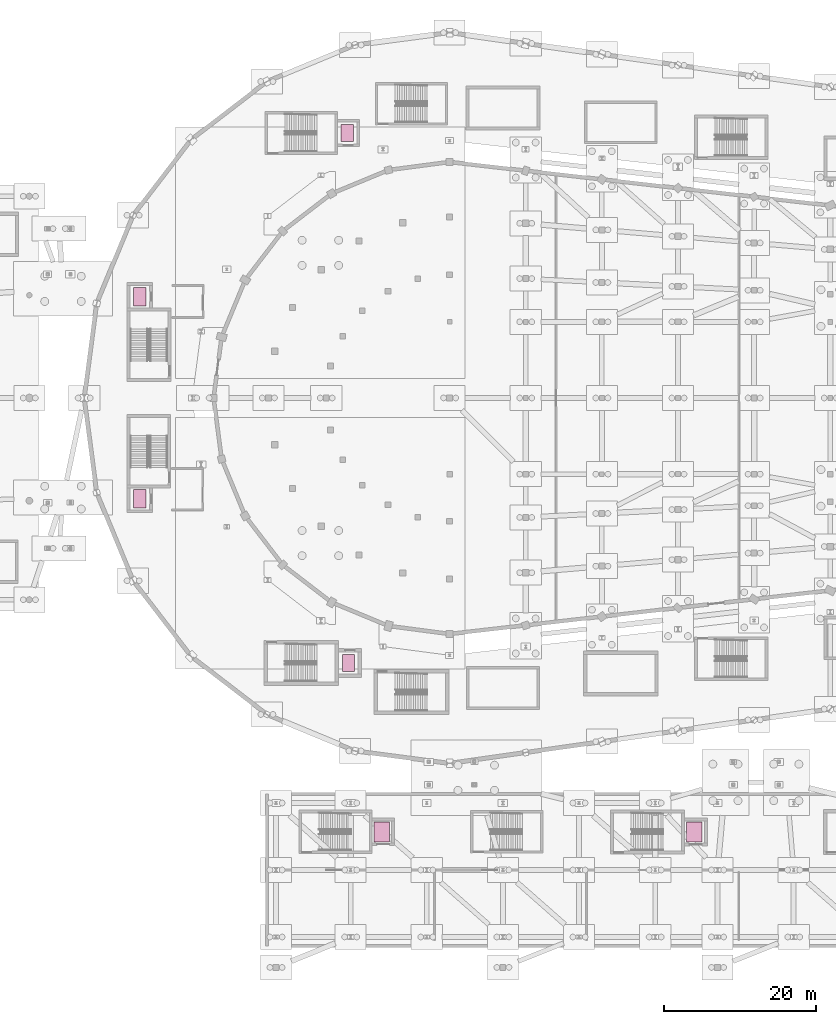
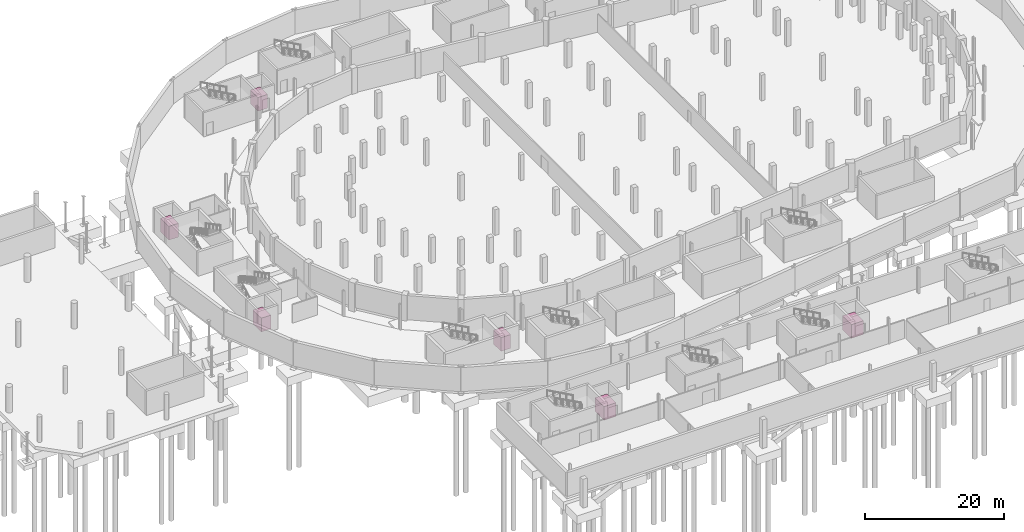
# One storey, part 55 of 55: 6 transport elements.
"""IFC4 building model written with IfcOpenShell, lengths in metres."""

from ifc_helpers import new_model, si_unit, direction, frame, origin, origin_2d, place, context, subcontext, project, spatial, rectangle, extrude, material, type_object, element, save


model = new_model("IFC4")

# Units and contexts
model_context = context("Model", 3, precision=1e-05, world=origin(), true_north=direction((0.0, 1.0)))
body_context = subcontext(model_context, "Body", "Model", "MODEL_VIEW")
ifc_project = project(units=[si_unit("LENGTHUNIT", "METRE"), si_unit("AREAUNIT", "SQUARE_METRE"), si_unit("VOLUMEUNIT", "CUBIC_METRE"), si_unit("PLANEANGLEUNIT", "RADIAN"), si_unit("MASSUNIT", "GRAM", prefix="KILO")], contexts=[model_context])

# Site, building, storey
site_placement = place(None, origin())
site = spatial("IfcSite", under=ifc_project, at=site_placement, CompositionType="ELEMENT")
building_placement = place(site_placement, origin())
building = spatial("IfcBuilding", under=site, at=building_placement, Name="Sohan Crest Arena", CompositionType="ELEMENT")
storey_placement = place(building_placement, frame((0.0, 0.0, -4.5)))
storey = spatial("IfcBuildingStorey", under=building, at=storey_placement, Name="B1", CompositionType="ELEMENT", Elevation=-4.5)

# Transport elements
ifc_material = material(Name="Brushed stainless steel lift car", Category="steel")
transport_element_type_1 = type_object("IfcTransportElementType", Name="LFT-FF", PredefinedType="ELEVATOR", material=ifc_material)
for number, where, z_axis, x_axis, name in (
    (1, (57.300048828125, 64.75, 0.0), (0.0, 0.0, 1.0), (1.0, 0.0, 0.0), "Firefighting lift FL01"),
    (2, (57.300048828125, 91.300048828125, 0.0), (0.0, 0.0, 1.0), (1.0, 0.0, 0.0), "Firefighting lift FL02"),
):
    element("IfcTransportElement", number, at=place(storey_placement, frame(where, z_axis=z_axis, x_axis=x_axis)), inside=storey, type_object=transport_element_type_1, Name=name, PredefinedType="ELEVATOR", context=body_context, shape_type="SweptSolid", body=[
        extrude(rectangle(XDim=1.60009765625, YDim=2.39990234375, at=origin_2d()), origin(), (0.0, 0.0, 1.0), 2.39990234375),
    ])
transport_element_type_2 = type_object("IfcTransportElementType", Name="LFT-GDS", PredefinedType="ELEVATOR", material=ifc_material)
for number, where, z_axis, x_axis, name in (
    (3, (89.10009765625, 21.0, 0.0), (0.0, 0.0, 1.0), (1.0, 0.0, 0.0), "Passenger lift GF01"),
    (4, (130.14990234375, 21.0, 0.0), (0.0, 0.0, 1.0), (1.0, 0.0, 0.0), "Passenger lift GF02"),
):
    element("IfcTransportElement", number, at=place(storey_placement, frame(where, z_axis=z_axis, x_axis=x_axis)), inside=storey, type_object=transport_element_type_2, Name=name, PredefinedType="ELEVATOR", context=body_context, shape_type="SweptSolid", body=[
        extrude(rectangle(XDim=2.0, YDim=2.60009765625, at=origin_2d()), origin(), (0.0, 0.0, 1.0), 2.39990234375),
    ])
transport_element_type_3 = type_object("IfcTransportElementType", Name="LFT-PAX1", PredefinedType="ELEVATOR", material=ifc_material)
for number, where, z_axis, x_axis, name in (
    (5, (84.699951171875, 43.199951171875, 0.0), (0.0, 0.0, 1.0), (1.0, 0.0, 0.0), "Passenger lift LP01"),
    (6, (84.550048828125, 112.800048828125, 0.0), (0.0, 0.0, 1.0), (1.0, 0.0, 0.0), "Passenger lift LP02"),
):
    element("IfcTransportElement", number, at=place(storey_placement, frame(where, z_axis=z_axis, x_axis=x_axis)), inside=storey, type_object=transport_element_type_3, Name=name, PredefinedType="ELEVATOR", context=body_context, shape_type="SweptSolid", body=[
        extrude(rectangle(XDim=1.60009765625, YDim=2.199951171875, at=origin_2d()), origin(), (0.0, 0.0, 1.0), 2.39990234375),
    ])

save(model, "model.ifc")
